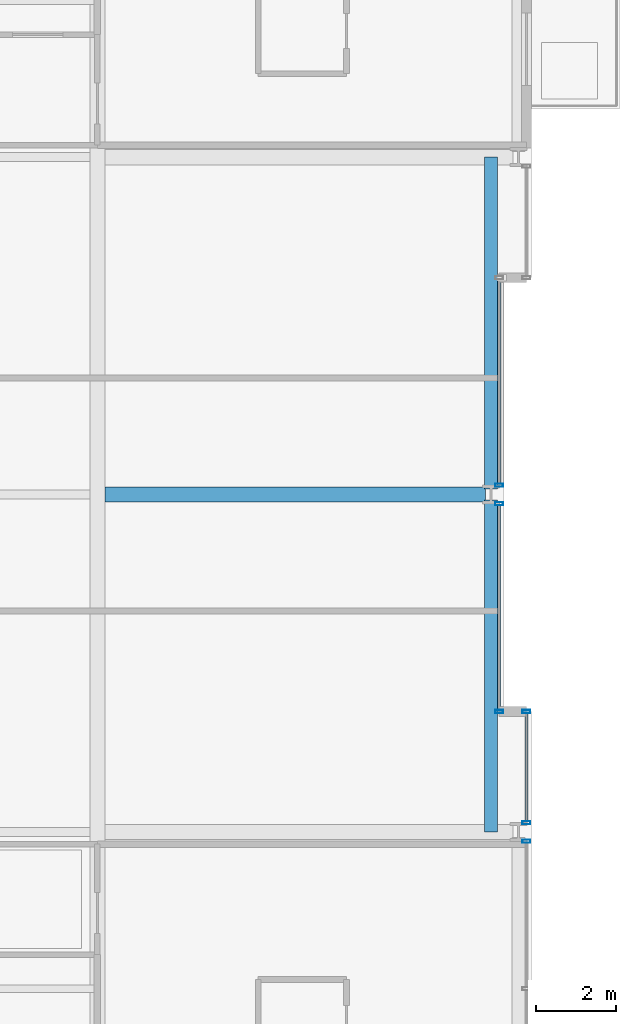
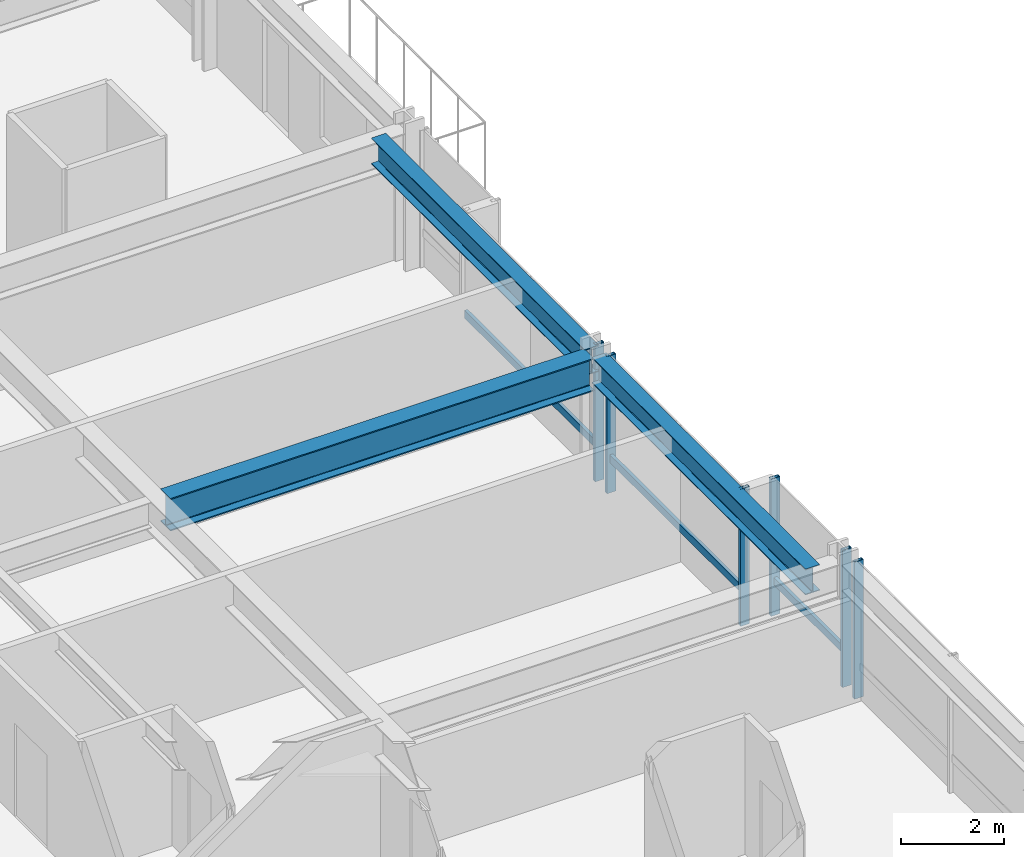
# One storey, part 16 of 38: 9 members, 3 beams, 4 elements without a shape of their own.
"""IFC4 building model written with IfcOpenShell, lengths in metres."""

from ifc_helpers import new_model, si_unit, direction, frame, origin, origin_2d, place, context, subcontext, project, spatial, hollow_rectangle, i_section, extrude, material, layer, layer_set, material_profile, profile_set, type_object, element, aggregate, save


model = new_model("IFC4")

# Units and contexts
model_context = context("Model", 3, precision=1e-05, world=origin(), true_north=direction((0.0, 1.0)))
body_context = subcontext(model_context, "Body", "Model", "MODEL_VIEW")
ifc_project = project(units=[si_unit("LENGTHUNIT", "METRE"), si_unit("AREAUNIT", "SQUARE_METRE"), si_unit("VOLUMEUNIT", "CUBIC_METRE"), si_unit("PLANEANGLEUNIT", "RADIAN"), si_unit("MASSUNIT", "GRAM", prefix="KILO")], contexts=[model_context])

# Site, building, storey
site_placement = place(None, origin())
site = spatial("IfcSite", under=ifc_project, at=site_placement, CompositionType="ELEMENT")
building_placement = place(site_placement, origin())
building = spatial("IfcBuilding", under=site, at=building_placement, Name="Drelvath Grand Hotel", CompositionType="ELEMENT")
storey_placement = place(building_placement, frame((0.0, 0.0, 71.699951171875)))
storey = spatial("IfcBuildingStorey", under=building, at=storey_placement, Name="L17", CompositionType="ELEMENT", Elevation=71.699951171875)

# Curtain wall, member
ifc_material_1 = material(Name="Warm Bronze Anodised Aluminium Frame", Category="aluminium")
ifc_layer = layer(ifc_material_1, 0.199951171875)
ifc_layer_set = layer_set([ifc_layer], Name="Warm Bronze Anodised Aluminium Frame")
curtain_wall_type = type_object("IfcCurtainWallType", Name="Stick Curtain Wall CW-02 Warm Bronze Low-Rise", PredefinedType="NOTDEFINED", material=ifc_layer_set)
curtain_wall_1_placement = place(storey_placement, origin())
curtain_wall_1 = element("IfcCurtainWall", 1, at=curtain_wall_1_placement, inside=storey, type_object=curtain_wall_type, Name="L17 CW-02 Curtain Wall CW02-L17-EM1", PredefinedType="NOTDEFINED")
ifc_material_profile_1 = material_profile(ifc_material_1, hollow_rectangle(XDim=0.074951171875, YDim=0.179931640625, WallThickness=0.0048828125, at=origin_2d()), Name="HSS180X75X5")
ifc_profile_set_1 = profile_set([ifc_material_profile_1], Name="Warm Bronze Anodised Aluminium Frame")
member_type_1 = type_object("IfcMemberType", Name="Curtain Wall Horizontal Transom CW-02 HSS180X75X5", PredefinedType="USERDEFINED", material=ifc_profile_set_1)
member_1_placement = place(storey_placement, frame((26.199951171875, 26.73095703125, 0.81005859375), z_axis=(0.0, -1.0, 0.0), x_axis=(1.0, 0.0, 0.0)))
member_1 = element("IfcMember", 2, at=member_1_placement, type_object=member_type_1, Name="CW02-L17-EM1 Sill Transom", ObjectType="TRANSOM", PredefinedType="USERDEFINED", context=body_context, shape_type="SweptSolid", body=[
    extrude(hollow_rectangle(XDim=0.074951171875, YDim=0.179931640625, WallThickness=0.0048828125, at=origin_2d()), origin(), (0.0, 0.0, 1.0), 5.091064453125),
])

curtain_wall_2_placement = place(storey_placement, origin())
curtain_wall_2 = element("IfcCurtainWall", 3, at=curtain_wall_2_placement, inside=storey, type_object=curtain_wall_type, Name="L17 CW-02 Curtain Wall CW02-L17-EM2", PredefinedType="NOTDEFINED")
member_2_placement = place(storey_placement, frame((26.199951171875, 32.360107421875, 0.81005859375), z_axis=(0.0, -1.0, 0.0), x_axis=(1.0, 0.0, 0.0)))
member_2 = element("IfcMember", 4, at=member_2_placement, type_object=member_type_1, Name="CW02-L17-EM2 Sill Transom", ObjectType="TRANSOM", PredefinedType="USERDEFINED", context=body_context, shape_type="SweptSolid", body=[
    extrude(hollow_rectangle(XDim=0.074951171875, YDim=0.179931640625, WallThickness=0.0048828125, at=origin_2d()), origin(), (0.0, 0.0, 1.0), 5.091064453125),
])

curtain_wall_3_placement = place(storey_placement, origin())
curtain_wall_3 = element("IfcCurtainWall", 5, at=curtain_wall_3_placement, inside=storey, type_object=curtain_wall_type, Name="L17 CW-02 Curtain Wall CW02-L17-ES3", PredefinedType="NOTDEFINED")
member_3_placement = place(storey_placement, frame((26.8798828125, 21.56005859375, 0.81005859375), z_axis=(0.0, -1.0, 0.0), x_axis=(1.0, 0.0, 0.0)))
member_3 = element("IfcMember", 6, at=member_3_placement, type_object=member_type_1, Name="CW02-L17-ES3 Sill Transom", ObjectType="TRANSOM", PredefinedType="USERDEFINED", context=body_context, shape_type="SweptSolid", body=[
    extrude(hollow_rectangle(XDim=0.074951171875, YDim=0.179931640625, WallThickness=0.0048828125, at=origin_2d()), origin(), (0.0, 0.0, 1.0), 2.69091796875),
])

# Member
ifc_material_profile_2 = material_profile(ifc_material_1, hollow_rectangle(XDim=0.080078125, YDim=0.199951171875, WallThickness=0.0048828125, at=origin_2d()), Name="HSS200X80X5")
ifc_profile_set_2 = profile_set([ifc_material_profile_2], Name="Warm Bronze Anodised Aluminium Frame")
member_type_2 = type_object("IfcMemberType", Name="Curtain Wall Vertical Mullion CW-02 HSS200X80X5", PredefinedType="MULLION", material=ifc_profile_set_2)
member_4_placement = place(storey_placement, frame((26.199951171875, 26.77099609375, 0.0), z_axis=(0.0, 0.0, 1.0), x_axis=(0.0, 1.0, 0.0)))
member_4 = element("IfcMember", 7, at=member_4_placement, type_object=member_type_2, Name="CW02-L17-EM1 Mullion 1", PredefinedType="MULLION", context=body_context, shape_type="SweptSolid", body=[
    extrude(hollow_rectangle(XDim=0.080078125, YDim=0.199951171875, WallThickness=0.0048828125, at=origin_2d()), origin(), (0.0, 0.0, 1.0), 3.239990234375),
])

member_5_placement = place(storey_placement, frame((26.199951171875, 21.60009765625, 0.0), z_axis=(0.0, 0.0, 1.0), x_axis=(0.0, 1.0, 0.0)))
member_5 = element("IfcMember", 8, at=member_5_placement, type_object=member_type_2, Name="CW02-L17-EM1 Mullion 2", PredefinedType="MULLION", context=body_context, shape_type="SweptSolid", body=[
    extrude(hollow_rectangle(XDim=0.080078125, YDim=0.199951171875, WallThickness=0.0048828125, at=origin_2d()), origin(), (0.0, 0.0, 1.0), 3.239990234375),
])

aggregate(curtain_wall_1, [member_4, member_5, member_1])

member_6_placement = place(storey_placement, frame((26.199951171875, 27.22900390625, 0.0), z_axis=(0.0, 0.0, 1.0), x_axis=(0.0, 1.0, 0.0)))
member_6 = element("IfcMember", 9, at=member_6_placement, type_object=member_type_2, Name="CW02-L17-EM2 Mullion 2", PredefinedType="MULLION", context=body_context, shape_type="SweptSolid", body=[
    extrude(hollow_rectangle(XDim=0.080078125, YDim=0.199951171875, WallThickness=0.0048828125, at=origin_2d()), origin(), (0.0, 0.0, 1.0), 3.239990234375),
])

aggregate(curtain_wall_2, [member_6, member_2])

# Curtain wall, member
curtain_wall_4_placement = place(storey_placement, origin())
curtain_wall_4 = element("IfcCurtainWall", 10, at=curtain_wall_4_placement, inside=storey, type_object=curtain_wall_type, Name="L17 CW-02 Curtain Wall CW02-L17-ES2", PredefinedType="NOTDEFINED")
member_7_placement = place(storey_placement, frame((26.8798828125, 18.370849609375, 0.0), z_axis=(0.0, 0.0, 1.0), x_axis=(0.0, 1.0, 0.0)))
member_7 = element("IfcMember", 11, at=member_7_placement, type_object=member_type_2, Name="CW02-L17-ES2 Mullion 1", PredefinedType="MULLION", context=body_context, shape_type="SweptSolid", body=[
    extrude(hollow_rectangle(XDim=0.080078125, YDim=0.199951171875, WallThickness=0.0048828125, at=origin_2d()), origin(), (0.0, 0.0, 1.0), 3.239990234375),
])
aggregate(curtain_wall_4, [member_7])

# Member
member_8_placement = place(storey_placement, frame((26.8798828125, 21.60009765625, 0.0), z_axis=(0.0, 0.0, 1.0), x_axis=(0.0, 1.0, 0.0)))
member_8 = element("IfcMember", 12, at=member_8_placement, type_object=member_type_2, Name="CW02-L17-ES3 Mullion 1", PredefinedType="MULLION", context=body_context, shape_type="SweptSolid", body=[
    extrude(hollow_rectangle(XDim=0.080078125, YDim=0.199951171875, WallThickness=0.0048828125, at=origin_2d()), origin(), (0.0, 0.0, 1.0), 3.239990234375),
])

member_9_placement = place(storey_placement, frame((26.8798828125, 18.8291015625, 0.0), z_axis=(0.0, 0.0, 1.0), x_axis=(0.0, 1.0, 0.0)))
member_9 = element("IfcMember", 13, at=member_9_placement, type_object=member_type_2, Name="CW02-L17-ES3 Mullion 2", PredefinedType="MULLION", context=body_context, shape_type="SweptSolid", body=[
    extrude(hollow_rectangle(XDim=0.080078125, YDim=0.199951171875, WallThickness=0.0048828125, at=origin_2d()), origin(), (0.0, 0.0, 1.0), 3.239990234375),
])

aggregate(curtain_wall_3, [member_8, member_9, member_3])

# Beams
ifc_material_2 = material(Name="Steel ASTM A992 Gr 50", Category="steel")
ifc_material_profile_3 = material_profile(ifc_material_2, i_section(OverallWidth=0.323974609375, OverallDepth=0.611083984375, WebThickness=0.0126953125, FlangeThickness=0.01904296875, FilletRadius=0.02197265625, at=origin_2d()), Name="W24X104")
ifc_profile_set_3 = profile_set([ifc_material_profile_3], Name="Steel ASTM A992 Gr 50")
beam_type_1 = type_object("IfcBeamType", Name="Perimeter Spandrel Beam W24X104", PredefinedType="SPANDREL", material=ifc_profile_set_3)
for number, where, z_axis, x_axis, name in (
    (14, (26.0, 18.60009765625, 2.9345703125), (0.0, 1.0, 0.0), (-1.0, 0.0, 0.0), "L17 Spandrel East Mid S"),
    (15, (26.0, 27.139892578125, 2.9345703125), (0.0, 1.0, 0.0), (-1.0, 0.0, 0.0), "L17 Spandrel East Mid N"),
):
    element("IfcBeam", number, at=place(storey_placement, frame(where, z_axis=z_axis, x_axis=x_axis)), inside=storey, type_object=beam_type_1, Name=name, PredefinedType="SPANDREL", context=body_context, shape_type="SweptSolid", body=[
        extrude(i_section(OverallWidth=0.323974609375, OverallDepth=0.611083984375, WebThickness=0.0126953125, FlangeThickness=0.01904296875, FilletRadius=0.02197265625, at=origin_2d()), origin(), (0.0, 0.0, 1.0), 8.260009765625),
    ])
ifc_material_profile_4 = material_profile(ifc_material_2, i_section(OverallWidth=0.380615234375, OverallDepth=0.773193359375, WebThickness=0.0166015625, FlangeThickness=0.027099609375, FilletRadius=0.02490234375, at=origin_2d()), Name="W30X173")
ifc_profile_set_4 = profile_set([ifc_material_profile_4], Name="Steel ASTM A992 Gr 50")
beam_type_2 = type_object("IfcBeamType", Name="Primary Floor Girder W30X173", PredefinedType="BEAM", material=ifc_profile_set_4)
beam_placement = place(storey_placement, frame((16.390380859375, 27.0, 2.853515625), z_axis=(1.0, 0.0, 0.0), x_axis=(0.0, 1.0, 0.0)))
element("IfcBeam", 16, at=beam_placement, inside=storey, type_object=beam_type_2, Name="L17 East Wing Girder E", PredefinedType="BEAM", context=body_context, shape_type="SweptSolid", body=[
    extrude(i_section(OverallWidth=0.380615234375, OverallDepth=0.773193359375, WebThickness=0.0166015625, FlangeThickness=0.027099609375, FilletRadius=0.02490234375, at=origin_2d()), origin(), (0.0, 0.0, 1.0), 9.4697265625),
])

save(model, "model.ifc")
